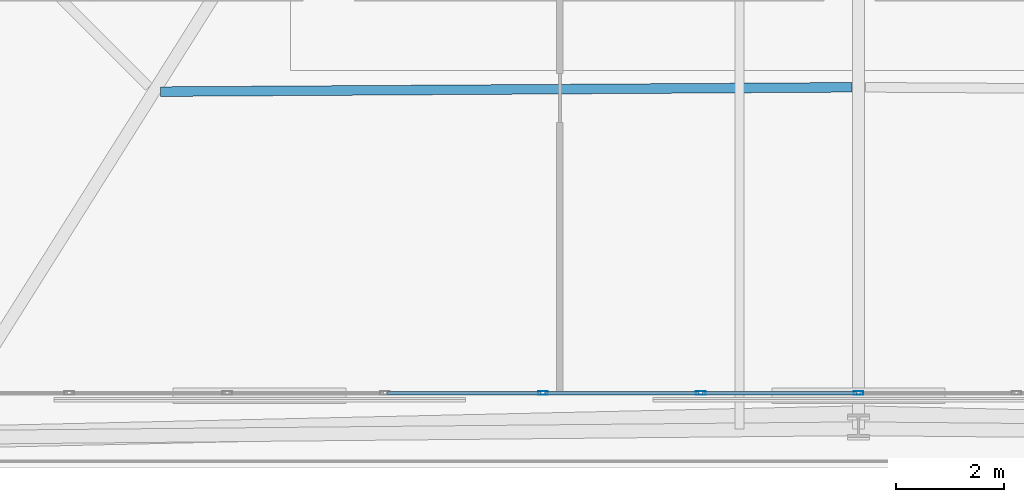
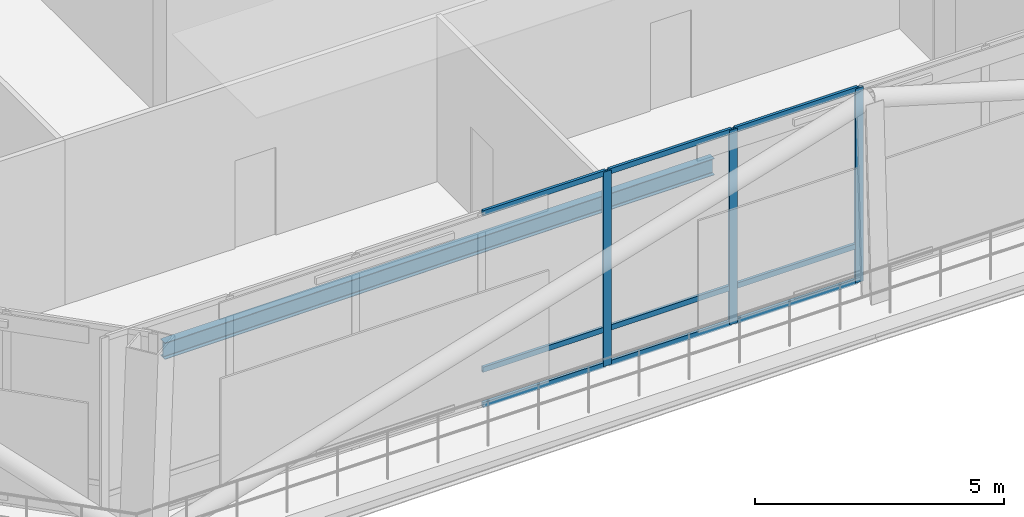
# One storey, part 8 of 34: 12 members, 1 beam, 1 element without a shape of its own.
"""IFC4 building model written with IfcOpenShell, lengths in metres."""

from ifc_helpers import new_model, si_unit, direction, frame, origin, origin_2d, place, context, subcontext, project, spatial, hollow_rectangle, i_section, extrude, material, layer, layer_set, material_profile, profile_set, type_object, element, aggregate, save


model = new_model("IFC4")

# Units and contexts
model_context = context("Model", 3, precision=1e-05, world=origin(), true_north=direction((0.0, 1.0)))
body_context = subcontext(model_context, "Body", "Model", "MODEL_VIEW")
ifc_project = project(units=[si_unit("LENGTHUNIT", "METRE"), si_unit("AREAUNIT", "SQUARE_METRE"), si_unit("VOLUMEUNIT", "CUBIC_METRE"), si_unit("PLANEANGLEUNIT", "RADIAN"), si_unit("MASSUNIT", "GRAM", prefix="KILO")], contexts=[model_context])

# Site, building, storey
site_placement = place(None, origin())
site = spatial("IfcSite", under=ifc_project, at=site_placement, CompositionType="ELEMENT")
building_placement = place(site_placement, origin())
building = spatial("IfcBuilding", under=site, at=building_placement, Name="Caelvoria Tower", CompositionType="ELEMENT")
storey_placement = place(building_placement, frame((0.0, 0.0, 172.0)))
storey = spatial("IfcBuildingStorey", under=building, at=storey_placement, Name="L45", CompositionType="ELEMENT", Elevation=172.0)

# Curtain wall, members
ifc_material_1 = material(Name="Anodised Bronze Aluminium and Low-E Glass", Category="aluminium")
ifc_layer = layer(ifc_material_1, 0.2099609375, Name="Anodised Bronze Aluminium and Low-E Glass")
ifc_layer_set = layer_set([ifc_layer], Name="CW System 3 Sky Lobby Double-Height Acoustic Facade - Anodised Bronze Aluminium and Low-E Glass")
curtain_wall_type = type_object("IfcCurtainWallType", Name="CW System 3 Sky Lobby Double-Height Acoustic Facade", PredefinedType="NOTDEFINED", material=ifc_layer_set)
curtain_wall_placement = place(storey_placement, origin())
curtain_wall = element("IfcCurtainWall", 1, at=curtain_wall_placement, inside=storey, type_object=curtain_wall_type, Name="CW-03 Curtain Wall L45-E0", PredefinedType="NOTDEFINED")
ifc_material_2 = material(Name="Anodised Bronze Architectural Aluminium", Category="aluminium")
ifc_material_profile_1 = material_profile(ifc_material_2, hollow_rectangle(XDim=0.070068359375, YDim=0.179931640625, WallThickness=0.00390625, at=origin_2d()), Name="Anodised Bronze Architectural Aluminium")
ifc_profile_set_1 = profile_set([ifc_material_profile_1], Name="CW_MULL_70X180 - Anodised Bronze Architectural Aluminium")
member_type_1 = type_object("IfcMemberType", Name="Curtain Wall Mullion 70x180 Bronze Aluminium", PredefinedType="MULLION", material=ifc_profile_set_1)
member_1_placement = place(storey_placement, frame((40.166748046875, 12.0400390625, 0.0), z_axis=(0.0, 0.0, 1.0), x_axis=(0.0, 1.0, 0.0)))
member_1 = element("IfcMember", 2, at=member_1_placement, type_object=member_type_1, Name="CW-03 mullion 5", PredefinedType="MULLION", context=body_context, shape_type="SweptSolid", body=[
    extrude(hollow_rectangle(XDim=0.070068359375, YDim=0.179931640625, WallThickness=0.00390625, at=origin_2d()), origin(), (0.0, 0.0, 1.0), 4.760009765625),
])
member_2_placement = place(storey_placement, frame((43.083251953125, 12.0400390625, 0.0), z_axis=(0.0, 0.0, 1.0), x_axis=(0.0, 1.0, 0.0)))
member_2 = element("IfcMember", 3, at=member_2_placement, type_object=member_type_1, Name="CW-03 mullion 6", PredefinedType="MULLION", context=body_context, shape_type="SweptSolid", body=[
    extrude(hollow_rectangle(XDim=0.070068359375, YDim=0.179931640625, WallThickness=0.00390625, at=origin_2d()), origin(), (0.0, 0.0, 1.0), 4.760009765625),
])
member_3_placement = place(storey_placement, frame((46.0, 12.0400390625, 0.0), z_axis=(0.0, 0.0, 1.0), x_axis=(0.0, 1.0, 0.0)))
member_3 = element("IfcMember", 4, at=member_3_placement, type_object=member_type_1, Name="CW-03 mullion 7", PredefinedType="MULLION", context=body_context, shape_type="SweptSolid", body=[
    extrude(hollow_rectangle(XDim=0.070068359375, YDim=0.179931640625, WallThickness=0.00390625, at=origin_2d()), origin(), (0.0, 0.0, 1.0), 4.760009765625),
])
ifc_material_profile_2 = material_profile(ifc_material_2, hollow_rectangle(XDim=0.06494140625, YDim=0.1298828125, WallThickness=0.00341796875, at=origin_2d()), Name="Anodised Bronze Architectural Aluminium")
ifc_profile_set_2 = profile_set([ifc_material_profile_2], Name="CW_TRAN_65X130 - Anodised Bronze Architectural Aluminium")
member_type_2 = type_object("IfcMemberType", Name="Curtain Wall Transom 65x130 Bronze Aluminium", PredefinedType="USERDEFINED", material=ifc_profile_set_2)
member_4_placement = place(storey_placement, frame((37.284912109375, 12.0400390625, 0.032470703125), z_axis=(1.0, 0.0, 0.0), x_axis=(0.0, 1.0, 0.0)))
member_4 = element("IfcMember", 5, at=member_4_placement, type_object=member_type_2, Name="CW-03 transom 4.1", ObjectType="TRANSOM", PredefinedType="USERDEFINED", context=body_context, shape_type="SweptSolid", body=[
    extrude(hollow_rectangle(XDim=0.06494140625, YDim=0.1298828125, WallThickness=0.00341796875, at=origin_2d()), origin(), (0.0, 0.0, 1.0), 2.8466796875),
])
member_5_placement = place(storey_placement, frame((37.284912109375, 12.0400390625, 0.89990234375), z_axis=(1.0, 0.0, 0.0), x_axis=(0.0, 1.0, 0.0)))
member_5 = element("IfcMember", 6, at=member_5_placement, type_object=member_type_2, Name="CW-03 transom 4.2", ObjectType="TRANSOM", PredefinedType="USERDEFINED", context=body_context, shape_type="SweptSolid", body=[
    extrude(hollow_rectangle(XDim=0.06494140625, YDim=0.1298828125, WallThickness=0.00341796875, at=origin_2d()), origin(), (0.0, 0.0, 1.0), 2.8466796875),
])
member_6_placement = place(storey_placement, frame((37.284912109375, 12.0400390625, 4.7275390625), z_axis=(1.0, 0.0, 0.0), x_axis=(0.0, 1.0, 0.0)))
member_6 = element("IfcMember", 7, at=member_6_placement, type_object=member_type_2, Name="CW-03 transom 4.3", ObjectType="TRANSOM", PredefinedType="USERDEFINED", context=body_context, shape_type="SweptSolid", body=[
    extrude(hollow_rectangle(XDim=0.06494140625, YDim=0.1298828125, WallThickness=0.00341796875, at=origin_2d()), origin(), (0.0, 0.0, 1.0), 2.8466796875),
])
member_7_placement = place(storey_placement, frame((40.20166015625, 12.0400390625, 0.032470703125), z_axis=(1.0, 0.0, 0.0), x_axis=(0.0, 1.0, 0.0)))
member_7 = element("IfcMember", 8, at=member_7_placement, type_object=member_type_2, Name="CW-03 transom 5.1", ObjectType="TRANSOM", PredefinedType="USERDEFINED", context=body_context, shape_type="SweptSolid", body=[
    extrude(hollow_rectangle(XDim=0.06494140625, YDim=0.1298828125, WallThickness=0.00341796875, at=origin_2d()), origin(), (0.0, 0.0, 1.0), 2.8466796875),
])
member_8_placement = place(storey_placement, frame((40.20166015625, 12.0400390625, 0.89990234375), z_axis=(1.0, 0.0, 0.0), x_axis=(0.0, 1.0, 0.0)))
member_8 = element("IfcMember", 9, at=member_8_placement, type_object=member_type_2, Name="CW-03 transom 5.2", ObjectType="TRANSOM", PredefinedType="USERDEFINED", context=body_context, shape_type="SweptSolid", body=[
    extrude(hollow_rectangle(XDim=0.06494140625, YDim=0.1298828125, WallThickness=0.00341796875, at=origin_2d()), origin(), (0.0, 0.0, 1.0), 2.8466796875),
])
member_9_placement = place(storey_placement, frame((40.20166015625, 12.0400390625, 4.7275390625), z_axis=(1.0, 0.0, 0.0), x_axis=(0.0, 1.0, 0.0)))
member_9 = element("IfcMember", 10, at=member_9_placement, type_object=member_type_2, Name="CW-03 transom 5.3", ObjectType="TRANSOM", PredefinedType="USERDEFINED", context=body_context, shape_type="SweptSolid", body=[
    extrude(hollow_rectangle(XDim=0.06494140625, YDim=0.1298828125, WallThickness=0.00341796875, at=origin_2d()), origin(), (0.0, 0.0, 1.0), 2.8466796875),
])
member_10_placement = place(storey_placement, frame((43.118408203125, 12.0400390625, 0.032470703125), z_axis=(1.0, 0.0, 0.0), x_axis=(0.0, 1.0, 0.0)))
member_10 = element("IfcMember", 11, at=member_10_placement, type_object=member_type_2, Name="CW-03 transom 6.1", ObjectType="TRANSOM", PredefinedType="USERDEFINED", context=body_context, shape_type="SweptSolid", body=[
    extrude(hollow_rectangle(XDim=0.06494140625, YDim=0.1298828125, WallThickness=0.00341796875, at=origin_2d()), origin(), (0.0, 0.0, 1.0), 2.8466796875),
])
member_11_placement = place(storey_placement, frame((43.118408203125, 12.0400390625, 0.89990234375), z_axis=(1.0, 0.0, 0.0), x_axis=(0.0, 1.0, 0.0)))
member_11 = element("IfcMember", 12, at=member_11_placement, type_object=member_type_2, Name="CW-03 transom 6.2", ObjectType="TRANSOM", PredefinedType="USERDEFINED", context=body_context, shape_type="SweptSolid", body=[
    extrude(hollow_rectangle(XDim=0.06494140625, YDim=0.1298828125, WallThickness=0.00341796875, at=origin_2d()), origin(), (0.0, 0.0, 1.0), 2.8466796875),
])
member_12_placement = place(storey_placement, frame((43.118408203125, 12.0400390625, 4.7275390625), z_axis=(1.0, 0.0, 0.0), x_axis=(0.0, 1.0, 0.0)))
member_12 = element("IfcMember", 13, at=member_12_placement, type_object=member_type_2, Name="CW-03 transom 6.3", ObjectType="TRANSOM", PredefinedType="USERDEFINED", context=body_context, shape_type="SweptSolid", body=[
    extrude(hollow_rectangle(XDim=0.06494140625, YDim=0.1298828125, WallThickness=0.00341796875, at=origin_2d()), origin(), (0.0, 0.0, 1.0), 2.8466796875),
])
aggregate(curtain_wall, [member_1, member_2, member_3, member_4, member_5, member_6, member_7, member_8, member_9, member_10, member_11, member_12])

# Beam
ifc_material_3 = material(Name="Structural Steel ASTM A992 Gr.50", Category="steel")
ifc_material_profile_3 = material_profile(ifc_material_3, i_section(OverallWidth=0.177978515625, OverallDepth=0.406982421875, WebThickness=0.0078125, FlangeThickness=0.0126953125, FilletRadius=0.013916015625, at=origin_2d()), Name="Structural Steel ASTM A992 Gr.50")
ifc_profile_set_3 = profile_set([ifc_material_profile_3], Name="W410X60 - Structural Steel ASTM A992 Gr.50")
beam_type = type_object("IfcBeamType", Name="Secondary Floor Beam W410X60", PredefinedType="BEAM", material=ifc_profile_set_3)
beam_placement = place(storey_placement, frame((33.103271484375, 17.609130859375, -0.5234375), z_axis=(0.99998034443, 0.00626982878, 0.0), x_axis=(-0.00626982878, 0.99998034443, 0.0)))
element("IfcBeam", 14, at=beam_placement, inside=storey, type_object=beam_type, Name="Secondary Floor Beam L45-00", PredefinedType="BEAM", context=body_context, shape_type="SweptSolid", body=[
    extrude(i_section(OverallWidth=0.177978515625, OverallDepth=0.406982421875, WebThickness=0.0078125, FlangeThickness=0.0126953125, FilletRadius=0.013916015625, at=origin_2d()), origin(), (0.0, 0.0, 1.0), 12.77197265625),
])

save(model, "model.ifc")
